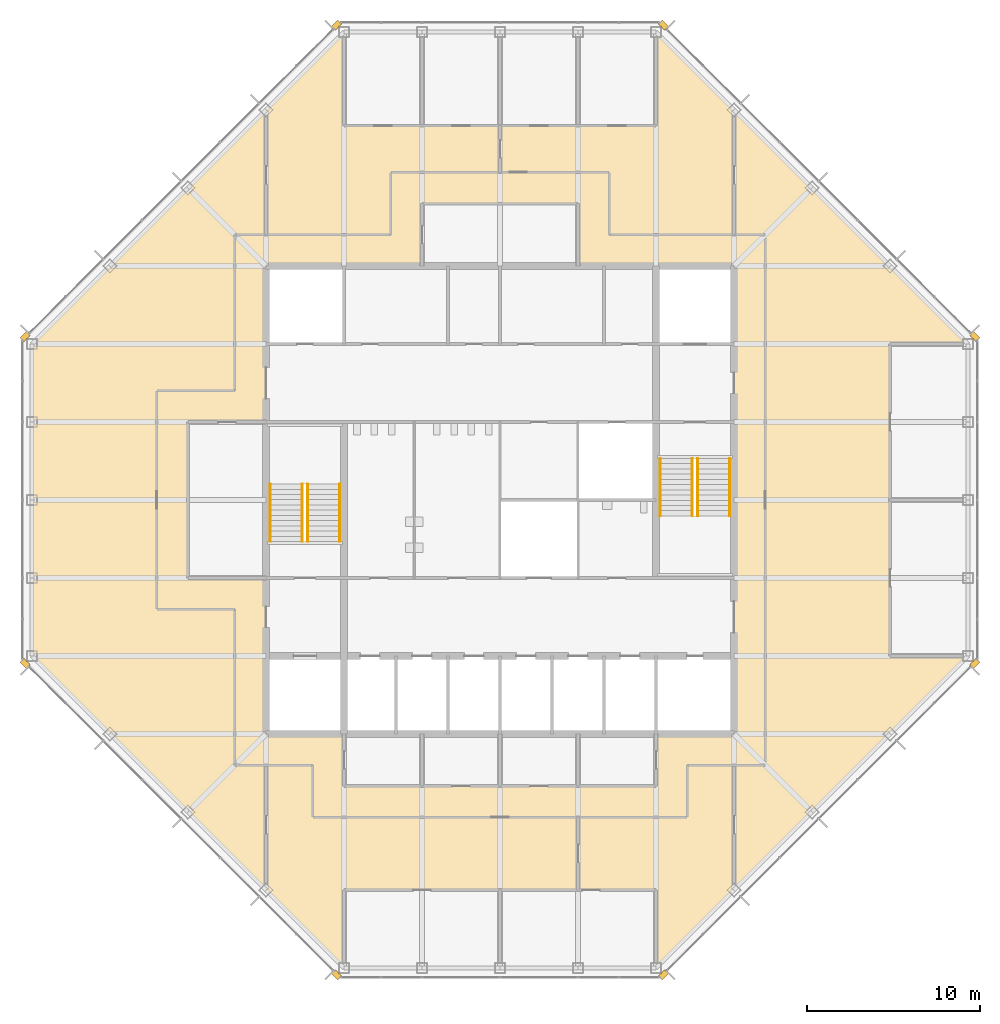
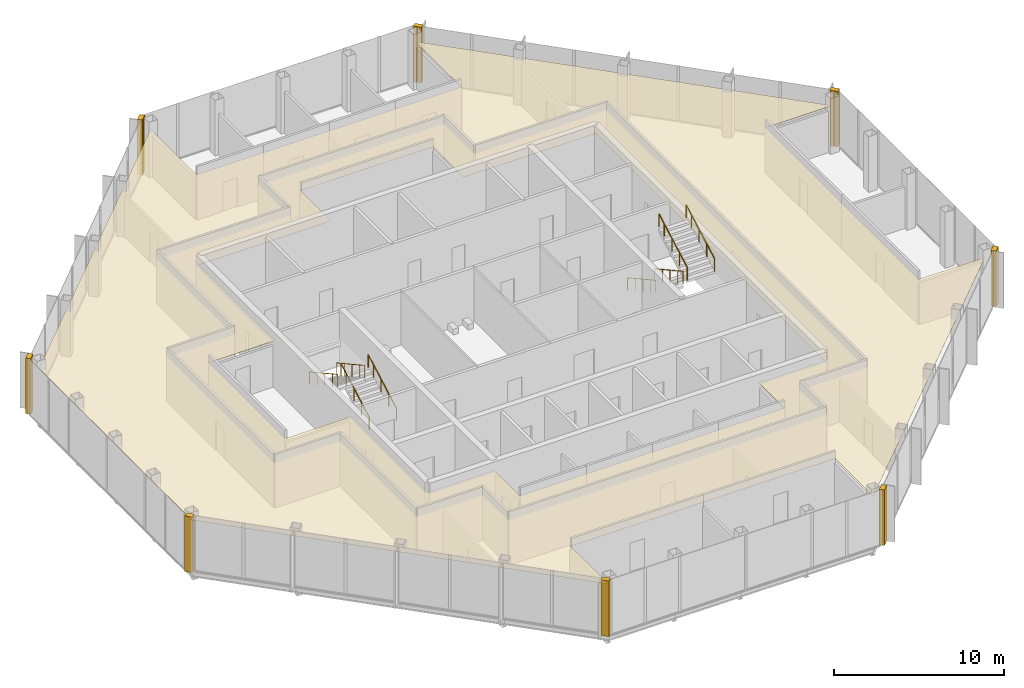
# One storey, part 13 of 14: 9 coverings, 8 railings.
"""IFC4 building model written with IfcOpenShell, lengths in metres."""

from ifc_helpers import new_model, si_unit, direction, frame, origin, origin_2d, place, context, subcontext, project, spatial, polyline, circle, outline, extrude, material, layer, layer_set, type_object, element, save


model = new_model("IFC4")

# Units and contexts
model_context = context("Model", 3, precision=1e-05, world=origin(), true_north=direction((0.0, 1.0)))
body_context = subcontext(model_context, "Body", "Model", "MODEL_VIEW")
ifc_project = project(units=[si_unit("LENGTHUNIT", "METRE"), si_unit("AREAUNIT", "SQUARE_METRE"), si_unit("VOLUMEUNIT", "CUBIC_METRE"), si_unit("PLANEANGLEUNIT", "RADIAN"), si_unit("MASSUNIT", "GRAM", prefix="KILO")], contexts=[model_context])

# Site, building, storey
site_placement = place(None, origin())
site = spatial("IfcSite", under=ifc_project, at=site_placement, CompositionType="ELEMENT")
building_placement = place(site_placement, origin())
building = spatial("IfcBuilding", under=site, at=building_placement, Name="Corais Broadcast Tower", CompositionType="ELEMENT")
storey_placement = place(building_placement, frame((0.0, 0.0, 278.60009765625)))
storey = spatial("IfcBuildingStorey", under=building, at=storey_placement, Name="L65", CompositionType="ELEMENT", Elevation=278.60009765625)

# Railings
ifc_material_1 = material(Name="Stainless steel handrail", Category="steel")
railing_type = type_object("IfcRailingType", Name="Handrail 920", PredefinedType="HANDRAIL", material=ifc_material_1)
for number, where, name in (
    (1, (17.75, 24.60009765625, 0.16650390625), "HR1 L65"),
    (2, (15.89990234375, 24.60009765625, 0.16650390625), "HR1 L65"),
):
    element("IfcRailing", number, at=place(storey_placement, frame(where)), inside=storey, type_object=railing_type, Name=name, PredefinedType="HANDRAIL", context=body_context, shape_type="SweptSolid", body=[
        extrude(circle(Radius=0.02392578125, at=origin_2d()), frame((0.0, 0.0, 0.89599609375), z_axis=(0.0, 0.875504475178, 0.483210010185), x_axis=(-1.0, 0.0, 0.0)), (0.0, 0.0, 1.0), 3.79443359375),
        extrude(circle(Radius=0.02099609375, at=origin_2d()), origin(), (0.0, 0.0, 1.0), 0.871826171875),
        extrude(circle(Radius=0.02099609375, at=origin_2d()), frame((0.0, 0.906005859375, 0.5)), (0.0, 0.0, 1.0), 0.871826171875),
        extrude(circle(Radius=0.02099609375, at=origin_2d()), frame((0.0, 1.81201171875, 1.0)), (0.0, 0.0, 1.0), 0.871826171875),
        extrude(circle(Radius=0.02099609375, at=origin_2d()), frame((0.0, 2.718017578125, 1.500244140625)), (0.0, 0.0, 1.0), 0.871826171875),
        extrude(circle(Radius=0.02099609375, at=origin_2d()), frame((0.0, 3.322021484375, 1.83349609375)), (0.0, 0.0, 1.0), 0.871826171875),
    ])
for number, where, name in (
    (3, (13.75, 27.922119140625, 2.16650390625), "HR1 L65"),
    (4, (15.60009765625, 27.922119140625, 2.16650390625), "HR1 L65"),
    (5, (36.25, 29.39990234375, 0.16650390625), "HR1 L65"),
    (6, (38.10009765625, 29.39990234375, 0.16650390625), "HR1 L65"),
):
    element("IfcRailing", number, at=place(storey_placement, frame(where)), inside=storey, type_object=railing_type, Name=name, PredefinedType="HANDRAIL", context=body_context, shape_type="SweptSolid", body=[
        extrude(circle(Radius=0.02392578125, at=origin_2d()), frame((0.0, 0.0, 0.89599609375), z_axis=(0.0, -0.875504475178, 0.483210010185), x_axis=(1.0, 0.0, 0.0)), (0.0, 0.0, 1.0), 3.79443359375),
        extrude(circle(Radius=0.02099609375, at=origin_2d()), origin(), (0.0, 0.0, 1.0), 0.871826171875),
        extrude(circle(Radius=0.02099609375, at=origin_2d()), frame((0.0, -0.906005859375, 0.5)), (0.0, 0.0, 1.0), 0.871826171875),
        extrude(circle(Radius=0.02099609375, at=origin_2d()), frame((0.0, -1.81201171875, 1.0)), (0.0, 0.0, 1.0), 0.871826171875),
        extrude(circle(Radius=0.02099609375, at=origin_2d()), frame((0.0, -2.718017578125, 1.500244140625)), (0.0, 0.0, 1.0), 0.871826171875),
        extrude(circle(Radius=0.02099609375, at=origin_2d()), frame((0.0, -3.322021484375, 1.83349609375)), (0.0, 0.0, 1.0), 0.871826171875),
    ])
for number, where, name in (
    (7, (40.25, 26.077880859375, 2.16650390625), "HR1 L65"),
    (8, (38.39990234375, 26.077880859375, 2.16650390625), "HR1 L65"),
):
    element("IfcRailing", number, at=place(storey_placement, frame(where)), inside=storey, type_object=railing_type, Name=name, PredefinedType="HANDRAIL", context=body_context, shape_type="SweptSolid", body=[
        extrude(circle(Radius=0.02392578125, at=origin_2d()), frame((0.0, 0.0, 0.89599609375), z_axis=(0.0, 0.875504475178, 0.483210010185), x_axis=(-1.0, 0.0, 0.0)), (0.0, 0.0, 1.0), 3.79443359375),
        extrude(circle(Radius=0.02099609375, at=origin_2d()), origin(), (0.0, 0.0, 1.0), 0.871826171875),
        extrude(circle(Radius=0.02099609375, at=origin_2d()), frame((0.0, 0.906005859375, 0.5)), (0.0, 0.0, 1.0), 0.871826171875),
        extrude(circle(Radius=0.02099609375, at=origin_2d()), frame((0.0, 1.81201171875, 1.0)), (0.0, 0.0, 1.0), 0.871826171875),
        extrude(circle(Radius=0.02099609375, at=origin_2d()), frame((0.0, 2.718017578125, 1.500244140625)), (0.0, 0.0, 1.0), 0.871826171875),
        extrude(circle(Radius=0.02099609375, at=origin_2d()), frame((0.0, 3.322021484375, 1.83349609375)), (0.0, 0.0, 1.0), 0.871826171875),
    ])

# Coverings
ifc_material_2 = material(Name="Granite stone cladding", Category="masonry")
ifc_layer_1 = layer(ifc_material_2, 0.324951171875)
ifc_layer_set_1 = layer_set([ifc_layer_1], Name="Granite stone cladding")
covering_type_1 = type_object("IfcCoveringType", Name="Stone corner pier cladding 500x325", PredefinedType="CLADDING", material=ifc_layer_set_1)
covering_1_placement = place(storey_placement, origin())
element("IfcCovering", 9, at=covering_1_placement, inside=storey, type_object=covering_type_1, Name="SP1 stone corner pier L65", PredefinedType="CLADDING", context=body_context, shape_type="SweptSolid", body=[
    extrude(outline(polyline([(17.860595703125, -0.461669921875), (17.72412109375, -0.324951171875), (17.675048828125, -0.324951171875), (17.675048828125, -0.27587890625), (17.507080078125, -0.108154296875), (17.277099609375, -0.337890625), (17.630859375, -0.69140625), (17.860595703125, -0.461669921875)])), origin(), (0.0, 0.0, 1.0), 4.0),
])
covering_2_placement = place(storey_placement, origin())
element("IfcCovering", 10, at=covering_2_placement, inside=storey, type_object=covering_type_1, Name="SP1 stone corner pier L65", PredefinedType="CLADDING", context=body_context, shape_type="SweptSolid", body=[
    extrude(outline(polyline([(-0.324951171875, 17.72412109375), (-0.461669921875, 17.860595703125), (-0.69140625, 17.630859375), (-0.337890625, 17.277099609375), (-0.108154296875, 17.507080078125), (-0.27587890625, 17.675048828125), (-0.324951171875, 17.675048828125), (-0.324951171875, 17.72412109375)])), origin(), (0.0, 0.0, 1.0), 4.0),
])
covering_3_placement = place(storey_placement, origin())
element("IfcCovering", 11, at=covering_3_placement, inside=storey, type_object=covering_type_1, Name="SP1 stone corner pier L65", PredefinedType="CLADDING", context=body_context, shape_type="SweptSolid", body=[
    extrude(outline(polyline([(-0.461669921875, 36.139404296875), (-0.324951171875, 36.27587890625), (-0.324951171875, 36.324951171875), (-0.27587890625, 36.324951171875), (-0.108154296875, 36.492919921875), (-0.337890625, 36.722900390625), (-0.69140625, 36.369140625), (-0.461669921875, 36.139404296875)])), origin(), (0.0, 0.0, 1.0), 4.0),
])
covering_4_placement = place(storey_placement, origin())
element("IfcCovering", 12, at=covering_4_placement, inside=storey, type_object=covering_type_1, Name="SP1 stone corner pier L65", PredefinedType="CLADDING", context=body_context, shape_type="SweptSolid", body=[
    extrude(outline(polyline([(17.72412109375, 54.324951171875), (17.860595703125, 54.461669921875), (17.630859375, 54.69140625), (17.277099609375, 54.337890625), (17.507080078125, 54.108154296875), (17.675048828125, 54.27587890625), (17.675048828125, 54.324951171875), (17.72412109375, 54.324951171875)])), origin(), (0.0, 0.0, 1.0), 4.0),
])
covering_5_placement = place(storey_placement, origin())
element("IfcCovering", 13, at=covering_5_placement, inside=storey, type_object=covering_type_1, Name="SP1 stone corner pier L65", PredefinedType="CLADDING", context=body_context, shape_type="SweptSolid", body=[
    extrude(outline(polyline([(36.139404296875, 54.461669921875), (36.27587890625, 54.324951171875), (36.324951171875, 54.324951171875), (36.324951171875, 54.27587890625), (36.492919921875, 54.108154296875), (36.722900390625, 54.337890625), (36.369140625, 54.69140625), (36.139404296875, 54.461669921875)])), origin(), (0.0, 0.0, 1.0), 4.0),
])
covering_6_placement = place(storey_placement, origin())
element("IfcCovering", 14, at=covering_6_placement, inside=storey, type_object=covering_type_1, Name="SP1 stone corner pier L65", PredefinedType="CLADDING", context=body_context, shape_type="SweptSolid", body=[
    extrude(outline(polyline([(54.324951171875, 36.27587890625), (54.461669921875, 36.139404296875), (54.69140625, 36.369140625), (54.337890625, 36.722900390625), (54.108154296875, 36.492919921875), (54.27587890625, 36.324951171875), (54.324951171875, 36.324951171875), (54.324951171875, 36.27587890625)])), origin(), (0.0, 0.0, 1.0), 4.0),
])
covering_7_placement = place(storey_placement, origin())
element("IfcCovering", 15, at=covering_7_placement, inside=storey, type_object=covering_type_1, Name="SP1 stone corner pier L65", PredefinedType="CLADDING", context=body_context, shape_type="SweptSolid", body=[
    extrude(outline(polyline([(54.461669921875, 17.860595703125), (54.324951171875, 17.72412109375), (54.324951171875, 17.675048828125), (54.27587890625, 17.675048828125), (54.108154296875, 17.507080078125), (54.337890625, 17.277099609375), (54.69140625, 17.630859375), (54.461669921875, 17.860595703125)])), origin(), (0.0, 0.0, 1.0), 4.0),
])
covering_8_placement = place(storey_placement, origin())
element("IfcCovering", 16, at=covering_8_placement, inside=storey, type_object=covering_type_1, Name="SP1 stone corner pier L65", PredefinedType="CLADDING", context=body_context, shape_type="SweptSolid", body=[
    extrude(outline(polyline([(36.27587890625, -0.324951171875), (36.139404296875, -0.461669921875), (36.369140625, -0.69140625), (36.722900390625, -0.337890625), (36.492919921875, -0.108154296875), (36.324951171875, -0.27587890625), (36.324951171875, -0.324951171875), (36.27587890625, -0.324951171875)])), origin(), (0.0, 0.0, 1.0), 4.0),
])
ifc_material_3 = material(Name="Mineral fibre ceiling tile", Category="mineral")
ifc_layer_2 = layer(ifc_material_3, 0.02001953125)
ifc_layer_set_2 = layer_set([ifc_layer_2], Name="Mineral fibre ceiling tile")
covering_type_2 = type_object("IfcCoveringType", Name="Suspended ceiling", PredefinedType="CEILING", material=ifc_layer_set_2)
covering_9_placement = place(storey_placement, frame((0.0, 0.0, 3.219970703125)))
element("IfcCovering", 17, at=covering_9_placement, inside=storey, type_object=covering_type_2, Name="CE1 ceiling L65", PredefinedType="CEILING", context=body_context, shape_type="SweptSolid", body=[
    extrude(outline(polyline([(13.5, 49.5), (18.0, 54.0), (18.0, 48.60009765625), (36.0, 48.60009765625), (36.0, 54.0), (54.0, 36.0), (49.5, 36.0), (49.5, 18.0), (54.0, 18.0), (40.500244140625, 4.500244140625), (40.49853515625, 4.49853515625), (40.498291015625, 4.498291015625), (36.0, 0.0), (36.0, 4.5), (18.0, 4.5), (18.0, 0.0), (13.501708984375, 4.498291015625), (13.499755859375, 4.500244140625), (0.0, 18.0), (0.0, 36.0), (13.5, 49.5)]), holes=[polyline([(31.5, 40.5), (31.5, 44.10009765625), (22.5, 44.10009765625), (22.5, 40.5), (13.5, 40.5), (13.5, 31.5), (9.0, 31.5), (9.0, 22.5), (13.5, 22.5), (13.5, 13.5), (18.0, 13.5), (18.0, 10.5), (36.0, 10.5), (36.0, 13.5), (40.5, 13.5), (40.5, 40.5), (31.5, 40.5)])]), origin(), (0.0, 0.0, 1.0), 0.02001953125),
])

save(model, "model.ifc")
